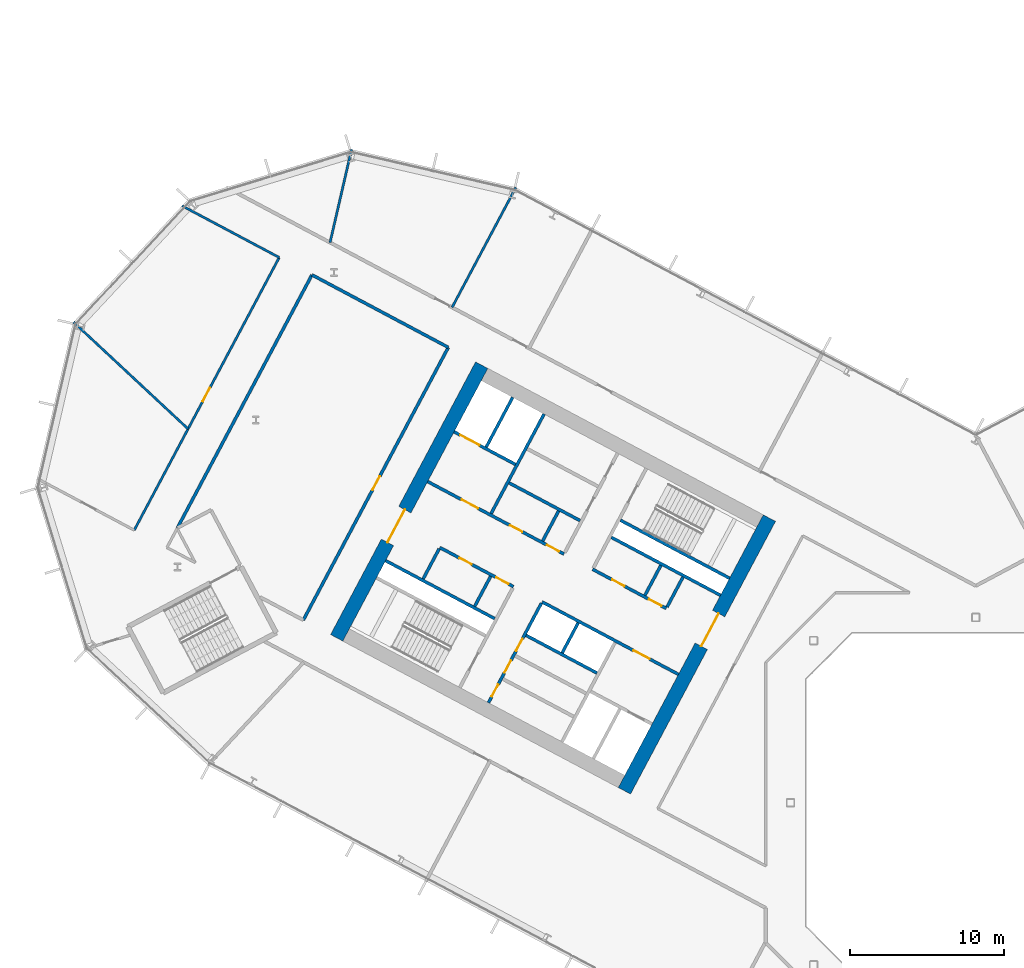
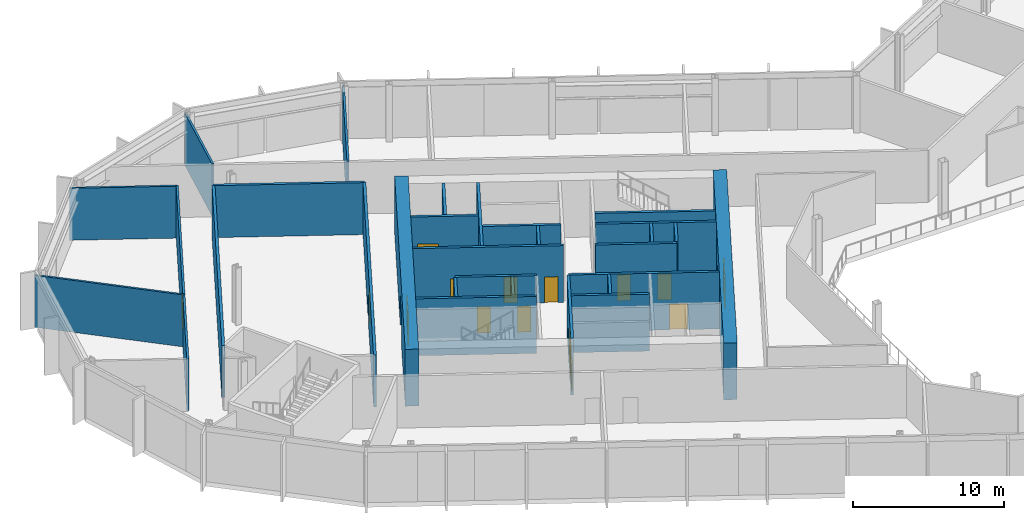
# One storey, part 15 of 32: 29 walls, 16 doors, 16 openings.
"""IFC4 building model written with IfcOpenShell, lengths in metres."""

from ifc_helpers import new_model, si_unit, direction, frame, frame_2d, origin, place, context, subcontext, project, spatial, rectangle, extrude, material, layer, layer_set, type_object, element, fill, save


model = new_model("IFC4")

# Units and contexts
model_context = context("Model", 3, precision=1e-05, world=origin(), true_north=direction((0.0, 1.0)))
body_context = subcontext(model_context, "Body", "Model", "MODEL_VIEW")
ifc_project = project(units=[si_unit("LENGTHUNIT", "METRE"), si_unit("AREAUNIT", "SQUARE_METRE"), si_unit("VOLUMEUNIT", "CUBIC_METRE"), si_unit("PLANEANGLEUNIT", "RADIAN"), si_unit("MASSUNIT", "GRAM", prefix="KILO")], contexts=[model_context])

# Site, building, storey
site_placement = place(None, origin())
site = spatial("IfcSite", under=ifc_project, at=site_placement, CompositionType="ELEMENT")
building_placement = place(site_placement, origin())
building = spatial("IfcBuilding", under=site, at=building_placement, Name="Cormorant Relay Tower", CompositionType="ELEMENT")
storey_placement = place(building_placement, frame((0.0, 0.0, 66.199951171875)))
storey = spatial("IfcBuildingStorey", under=building, at=storey_placement, Name="L12", CompositionType="ELEMENT", Elevation=66.199951171875)

# Walls
ifc_material_1 = material(Name="Concrete 40 MPa", Category="concrete")
ifc_layer_1 = layer(ifc_material_1, 0.199951171875)
ifc_layer_set_1 = layer_set([ifc_layer_1], Name="Core internal wall 200")
wall_type_1 = type_object("IfcWallType", Name="Core internal wall 200", PredefinedType="SOLIDWALL", material=ifc_layer_set_1)
wall_1_placement = place(storey_placement, frame((-20.39013671875, 15.371826171875, 0.0), z_axis=(0.0, 0.0, 1.0), x_axis=(-0.4694473164, -0.882960484464, 0.0)))
element("IfcWall", 1, at=wall_1_placement, inside=storey, type_object=wall_type_1, Name="L12 core A shaft and room wall", PredefinedType="SOLIDWALL", context=body_context, shape_type="SweptSolid", body=[
    extrude(rectangle(XDim=2.199951171875, YDim=0.199951171875, at=frame_2d((1.10009765625, 0.0))), origin(), (0.0, 0.0, 1.0), 4.60009765625),
])
wall_2_placement = place(storey_placement, frame((-25.744140625, 11.64990234375, 0.0), z_axis=(0.0, 0.0, 1.0), x_axis=(-0.469487830541, -0.882938942948, 0.0)))
element("IfcWall", 2, at=wall_2_placement, inside=storey, type_object=wall_type_1, Name="L12 core A shaft and room wall", PredefinedType="SOLIDWALL", context=body_context, shape_type="SweptSolid", body=[
    extrude(rectangle(XDim=2.2001953125, YDim=0.199951171875, at=frame_2d((1.10009765625, 0.0))), origin(), (0.0, 0.0, 1.0), 4.60009765625),
])
for number, where, z_axis, x_axis, name in (
    (3, (-27.01220703125, 18.892822265625, 0.0), (0.0, 0.0, 1.0), (-0.4694473164, -0.882960484464, 0.0), "L12 core A shaft and room wall"),
    (4, (-31.41259765625, 14.663818359375, 0.0), (0.0, 0.0, 1.0), (-0.469533832133, -0.882914480843, 0.0), "L12 core A shaft and room wall"),
):
    element("IfcWall", number, at=place(storey_placement, frame(where, z_axis=z_axis, x_axis=x_axis)), inside=storey, type_object=wall_type_1, Name=name, PredefinedType="SOLIDWALL", context=body_context, shape_type="SweptSolid", body=[
        extrude(rectangle(XDim=2.199951171875, YDim=0.199951171875, at=frame_2d((1.10009765625, 0.0))), origin(), (0.0, 0.0, 1.0), 4.60009765625),
    ])
ifc_material_2 = material(Name="Concrete 50 MPa", Category="concrete")
ifc_layer_2 = layer(ifc_material_2, 0.199951171875)
ifc_layer_set_2 = layer_set([ifc_layer_2], Name="Core shaft wall 200")
wall_type_2 = type_object("IfcWallType", Name="Core shaft wall 200", PredefinedType="SHEAR", material=ifc_layer_set_2)
wall_3_placement = place(storey_placement, frame((-18.959716796875, 14.611328125, 0.0), z_axis=(0.0, 0.0, 1.0), x_axis=(-0.4694473164, -0.882960484464, 0.0)))
element("IfcWall", 5, at=wall_3_placement, inside=storey, type_object=wall_type_2, Name="L12 core A shaft wall", PredefinedType="SHEAR", context=body_context, shape_type="SweptSolid", body=[
    extrude(rectangle(XDim=2.199951171875, YDim=0.199951171875, at=frame_2d((1.10009765625, 0.0))), origin(), (0.0, 0.0, 1.0), 4.60009765625),
])

# Wall, openings, doors
wall_4_placement = place(storey_placement, frame((-28.128173828125, 12.91748046875, 0.0), z_axis=(0.0, 0.0, 1.0), x_axis=(-0.469454336211, -0.882956752176, 0.0)))
wall_4 = element("IfcWall", 6, at=wall_4_placement, inside=storey, type_object=wall_type_2, Name="L12 core A shaft wall", PredefinedType="SHEAR", context=body_context, shape_type="SweptSolid", body=[
    extrude(rectangle(XDim=7.300048828125, YDim=0.199951171875, at=frame_2d((3.64990234375, 0.0))), origin(), (0.0, 0.0, 1.0), 4.60009765625),
])
opening_1_placement = place(wall_4_placement, frame((2.60009765625, 0.0, 0.0)))
opening_1 = element("IfcOpeningElement", 7, at=opening_1_placement, cuts=wall_4, Name="Opening CDD-114", PredefinedType="OPENING", context=body_context, shape_type="SweptSolid", body=[
    extrude(rectangle(XDim=0.89990234375, YDim=2.10009765625, at=frame_2d((0.449951171875, 1.050048828125))), frame((0.0, 0.10986328125, 0.0), z_axis=(0.0, -1.0, 0.0), x_axis=(1.0, 0.0, 0.0)), (0.0, 0.0, 1.0), 0.219970703125),
])
opening_2_placement = place(wall_4_placement, frame((4.199951171875, 0.0, 0.0)))
opening_2 = element("IfcOpeningElement", 8, at=opening_2_placement, cuts=wall_4, Name="Opening CDD-115", PredefinedType="OPENING", context=body_context, shape_type="SweptSolid", body=[
    extrude(rectangle(XDim=0.89990234375, YDim=2.10009765625, at=frame_2d((0.449951171875, 1.050048828125))), frame((0.0, 0.10986328125, 0.0), z_axis=(0.0, -1.0, 0.0), x_axis=(1.0, 0.0, 0.0)), (0.0, 0.0, 1.0), 0.219970703125),
])
opening_3_placement = place(wall_4_placement, frame((5.949951171875, 0.0, 0.0)))
opening_3 = element("IfcOpeningElement", 9, at=opening_3_placement, cuts=wall_4, Name="Opening CDD-116", PredefinedType="OPENING", context=body_context, shape_type="SweptSolid", body=[
    extrude(rectangle(XDim=0.89990234375, YDim=2.10009765625, at=frame_2d((0.449951171875, 1.050048828125))), frame((0.0, 0.10986328125, 0.0), z_axis=(0.0, -1.0, 0.0), x_axis=(1.0, 0.0, 0.0)), (0.0, 0.0, 1.0), 0.219970703125),
])
ifc_material_3 = material(Name="Steel fire door", Category="steel")
door_type_1 = type_object("IfcDoorType", Name="Core room door 900x2100", OperationType="SINGLE_SWING_LEFT", PredefinedType="DOOR", material=ifc_material_3)
door_1_placement = place(opening_1_placement, origin())
door_1 = element("IfcDoor", 10, at=door_1_placement, inside=storey, type_object=door_type_1, Name="Core room door 900x2100", OperationType="SINGLE_SWING_LEFT", OverallHeight=2.10009765625, OverallWidth=0.89990234375, PredefinedType="DOOR", context=body_context, shape_type="SweptSolid", body=[
    extrude(rectangle(XDim=0.89990234375, YDim=2.10009765625, at=frame_2d((0.449951171875, 1.050048828125))), frame((0.0, 0.02490234375, 0.0), z_axis=(0.0, -1.0, 0.0), x_axis=(1.0, 0.0, 0.0)), (0.0, 0.0, 1.0), 0.050048828125),
])
fill(opening_1, door_1)
door_2_placement = place(opening_2_placement, origin())
door_2 = element("IfcDoor", 11, at=door_2_placement, inside=storey, type_object=door_type_1, Name="Core room door 900x2100", OperationType="SINGLE_SWING_LEFT", OverallHeight=2.10009765625, OverallWidth=0.89990234375, PredefinedType="DOOR", context=body_context, shape_type="SweptSolid", body=[
    extrude(rectangle(XDim=0.89990234375, YDim=2.10009765625, at=frame_2d((0.449951171875, 1.050048828125))), frame((0.0, 0.02490234375, 0.0), z_axis=(0.0, -1.0, 0.0), x_axis=(1.0, 0.0, 0.0)), (0.0, 0.0, 1.0), 0.050048828125),
])
fill(opening_2, door_2)
door_3_placement = place(opening_3_placement, origin())
door_3 = element("IfcDoor", 12, at=door_3_placement, inside=storey, type_object=door_type_1, Name="Core room door 900x2100", OperationType="SINGLE_SWING_LEFT", OverallHeight=2.10009765625, OverallWidth=0.89990234375, PredefinedType="DOOR", context=body_context, shape_type="SweptSolid", body=[
    extrude(rectangle(XDim=0.89990234375, YDim=2.10009765625, at=frame_2d((0.449951171875, 1.050048828125))), frame((0.0, 0.02490234375, 0.0), z_axis=(0.0, -1.0, 0.0), x_axis=(1.0, 0.0, 0.0)), (0.0, 0.0, 1.0), 0.050048828125),
])
fill(opening_3, door_3)

# Walls
wall_5_placement = place(storey_placement, frame((-27.955322265625, 25.170654296875, 0.0), z_axis=(0.0, 0.0, 1.0), x_axis=(-0.469480409012, -0.88294288918, 0.0)))
element("IfcWall", 13, at=wall_5_placement, inside=storey, type_object=wall_type_2, Name="L12 core A shaft wall", PredefinedType="SHEAR", context=body_context, shape_type="SweptSolid", body=[
    extrude(rectangle(XDim=7.300048828125, YDim=0.199951171875, at=frame_2d((3.64990234375, 0.0))), origin(), (0.0, 0.0, 1.0), 4.60009765625),
])
wall_6_placement = place(storey_placement, frame((-34.750244140625, 16.4384765625, 0.0), z_axis=(0.0, 0.0, 1.0), x_axis=(-0.469401318492, -0.882984938828, 0.0)))
element("IfcWall", 14, at=wall_6_placement, inside=storey, type_object=wall_type_2, Name="L12 core A shaft wall", PredefinedType="SHEAR", context=body_context, shape_type="SweptSolid", body=[
    extrude(rectangle(XDim=2.199951171875, YDim=0.199951171875, at=frame_2d((1.10009765625, 0.0))), origin(), (0.0, 0.0, 1.0), 4.60009765625),
])
wall_7_placement = place(storey_placement, frame((-29.986083984375, 26.250244140625, 0.0), z_axis=(0.0, 0.0, 1.0), x_axis=(-0.469494272526, -0.882935517501, 0.0)))
element("IfcWall", 15, at=wall_7_placement, inside=storey, type_object=wall_type_2, Name="L12 core A shaft wall", PredefinedType="SHEAR", context=body_context, shape_type="SweptSolid", body=[
    extrude(rectangle(XDim=3.64990234375, YDim=0.199951171875, at=frame_2d((1.824951171875, 0.0))), origin(), (0.0, 0.0, 1.0), 4.60009765625),
])
wall_8_placement = place(storey_placement, frame((-15.94189453125, 14.53564453125, 0.0), z_axis=(0.0, 0.0, 1.0), x_axis=(-0.882946947542, 0.469472776449, 0.0)))
element("IfcWall", 16, at=wall_8_placement, inside=storey, type_object=wall_type_2, Name="L12 core A shaft wall", PredefinedType="SHEAR", context=body_context, shape_type="SweptSolid", body=[
    extrude(rectangle(XDim=8.000244140625, YDim=0.199951171875, at=frame_2d((4.0, 0.0))), origin(), (0.0, 0.0, 1.0), 4.60009765625),
])

# Wall, opening, door
wall_9_placement = place(storey_placement, frame((-29.80419921875, 21.906494140625, 0.0), z_axis=(0.0, 0.0, 1.0), x_axis=(-0.882960433586, 0.469447412093, 0.0)))
wall_9 = element("IfcWall", 17, at=wall_9_placement, inside=storey, type_object=wall_type_2, Name="L12 core A shaft wall", PredefinedType="SHEAR", context=body_context, shape_type="SweptSolid", body=[
    extrude(rectangle(XDim=4.5, YDim=0.199951171875, at=frame_2d((2.25, 0.0))), origin(), (0.0, 0.0, 1.0), 4.60009765625),
])
opening_4_placement = place(wall_9_placement, frame((2.64990234375, 0.0, 0.0)))
opening_4 = element("IfcOpeningElement", 18, at=opening_4_placement, cuts=wall_9, Name="Opening LD3-009", PredefinedType="OPENING", context=body_context, shape_type="SweptSolid", body=[
    extrude(rectangle(XDim=1.39990234375, YDim=2.39990234375, at=frame_2d((0.699951171875, 1.199951171875))), frame((0.0, 0.10986328125, 0.0), z_axis=(0.0, -1.0, 0.0), x_axis=(1.0, 0.0, 0.0)), (0.0, 0.0, 1.0), 0.219970703125),
])
ifc_material_4 = material(Name="Stainless steel 316", Category="steel")
door_type_2 = type_object("IfcDoorType", Name="Lift landing door 1400x2400", OperationType="DOUBLE_DOOR_SLIDING", PredefinedType="DOOR", material=ifc_material_4)
door_4_placement = place(opening_4_placement, origin())
door_4 = element("IfcDoor", 19, at=door_4_placement, inside=storey, type_object=door_type_2, Name="SV1 landing door", OperationType="DOUBLE_DOOR_SLIDING", OverallHeight=2.39990234375, OverallWidth=1.39990234375, PredefinedType="DOOR", context=body_context, shape_type="SweptSolid", body=[
    extrude(rectangle(XDim=1.39990234375, YDim=2.39990234375, at=frame_2d((0.699951171875, 1.199951171875))), frame((0.0, 0.02490234375, 0.0), z_axis=(0.0, -1.0, 0.0), x_axis=(1.0, 0.0, 0.0)), (0.0, 0.0, 1.0), 0.050048828125),
])
fill(opening_4, door_4)

# Walls
wall_10_placement = place(storey_placement, frame((-16.52880859375, 13.43212890625, 0.0), z_axis=(0.0, 0.0, 1.0), x_axis=(-0.88295287151, 0.469461634952, 0.0)))
element("IfcWall", 20, at=wall_10_placement, inside=storey, type_object=wall_type_2, Name="L12 core A shaft wall", PredefinedType="SHEAR", context=body_context, shape_type="SweptSolid", body=[
    extrude(rectangle(XDim=7.999755859375, YDim=0.199951171875, at=frame_2d((4.0, 0.0))), origin(), (0.0, 0.0, 1.0), 4.60009765625),
])
wall_11_placement = place(storey_placement, frame((-25.623046875, 18.267578125, 0.0), z_axis=(0.0, 0.0, 1.0), x_axis=(-0.882953967957, 0.469459572775, 0.0)))
element("IfcWall", 21, at=wall_11_placement, inside=storey, type_object=wall_type_2, Name="L12 core A shaft wall", PredefinedType="SHEAR", context=body_context, shape_type="SweptSolid", body=[
    extrude(rectangle(XDim=5.199951171875, YDim=0.199951171875, at=frame_2d((2.60009765625, 0.0))), origin(), (0.0, 0.0, 1.0), 4.60009765625),
])

# Wall, openings, doors
wall_12_placement = place(storey_placement, frame((-20.03955078125, 12.58056640625, 0.0), z_axis=(0.0, 0.0, 1.0), x_axis=(-0.882942972946, 0.469480251476, 0.0)))
wall_12 = element("IfcWall", 22, at=wall_12_placement, inside=storey, type_object=wall_type_2, Name="L12 core A shaft wall", PredefinedType="SHEAR", context=body_context, shape_type="SweptSolid", body=[
    extrude(rectangle(XDim=5.39990234375, YDim=0.199951171875, at=frame_2d((2.699951171875, 0.0))), origin(), (0.0, 0.0, 1.0), 4.60009765625),
])
opening_5_placement = place(wall_12_placement, frame((0.360107421875, 0.0, 0.0)))
opening_5 = element("IfcOpeningElement", 23, at=opening_5_placement, cuts=wall_12, Name="Opening CDD-110", PredefinedType="OPENING", context=body_context, shape_type="SweptSolid", body=[
    extrude(rectangle(XDim=0.89990234375, YDim=2.10009765625, at=frame_2d((0.449951171875, 1.050048828125))), frame((0.0, 0.10986328125, 0.0), z_axis=(0.0, -1.0, 0.0), x_axis=(1.0, 0.0, 0.0)), (0.0, 0.0, 1.0), 0.219970703125),
])
opening_6_placement = place(wall_12_placement, frame((3.06005859375, 0.0, 0.0)))
opening_6 = element("IfcOpeningElement", 24, at=opening_6_placement, cuts=wall_12, Name="Opening CDD-111", PredefinedType="OPENING", context=body_context, shape_type="SweptSolid", body=[
    extrude(rectangle(XDim=0.89990234375, YDim=2.10009765625, at=frame_2d((0.449951171875, 1.050048828125))), frame((0.0, 0.10986328125, 0.0), z_axis=(0.0, -1.0, 0.0), x_axis=(1.0, 0.0, 0.0)), (0.0, 0.0, 1.0), 0.219970703125),
])
door_5_placement = place(opening_5_placement, frame((0.89990234375, 0.0, 0.0), z_axis=(0.0, 0.0, 1.0), x_axis=(-1.0, 0.0, 0.0)))
door_5 = element("IfcDoor", 25, at=door_5_placement, inside=storey, type_object=door_type_1, Name="Core room door 900x2100", OperationType="SINGLE_SWING_RIGHT", OverallHeight=2.10009765625, OverallWidth=0.89990234375, PredefinedType="DOOR", context=body_context, shape_type="SweptSolid", body=[
    extrude(rectangle(XDim=0.89990234375, YDim=2.10009765625, at=frame_2d((0.449951171875, 1.050048828125))), frame((0.0, 0.02490234375, 0.0), z_axis=(0.0, -1.0, 0.0), x_axis=(1.0, 0.0, 0.0)), (0.0, 0.0, 1.0), 0.050048828125),
])
fill(opening_5, door_5)
door_6_placement = place(opening_6_placement, frame((0.89990234375, 0.0, 0.0), z_axis=(0.0, 0.0, 1.0), x_axis=(-1.0, 0.0, 0.0)))
door_6 = element("IfcDoor", 26, at=door_6_placement, inside=storey, type_object=door_type_1, Name="Core room door 900x2100", OperationType="SINGLE_SWING_RIGHT", OverallHeight=2.10009765625, OverallWidth=0.89990234375, PredefinedType="DOOR", context=body_context, shape_type="SweptSolid", body=[
    extrude(rectangle(XDim=0.89990234375, YDim=2.10009765625, at=frame_2d((0.449951171875, 1.050048828125))), frame((0.0, 0.02490234375, 0.0), z_axis=(0.0, -1.0, 0.0), x_axis=(1.0, 0.0, 0.0)), (0.0, 0.0, 1.0), 0.050048828125),
])
fill(opening_6, door_6)

wall_13_placement = place(storey_placement, frame((-26.66162109375, 16.1015625, 0.0), z_axis=(0.0, 0.0, 1.0), x_axis=(-0.882940221191, 0.469485426614, 0.0)))
wall_13 = element("IfcWall", 27, at=wall_13_placement, inside=storey, type_object=wall_type_2, Name="L12 core A shaft wall", PredefinedType="SHEAR", context=body_context, shape_type="SweptSolid", body=[
    extrude(rectangle(XDim=10.0, YDim=0.199951171875, at=frame_2d((5.0, 0.0))), origin(), (0.0, 0.0, 1.0), 4.60009765625),
])
opening_7_placement = place(wall_13_placement, frame((6.300048828125, 0.0, 0.0)))
opening_7 = element("IfcOpeningElement", 28, at=opening_7_placement, cuts=wall_13, Name="Opening CDC-018", PredefinedType="OPENING", context=body_context, shape_type="SweptSolid", body=[
    extrude(rectangle(XDim=1.199951171875, YDim=2.10009765625, at=frame_2d((0.60009765625, 1.050048828125))), frame((0.0, 0.10986328125, 0.0), z_axis=(0.0, -1.0, 0.0), x_axis=(1.0, 0.0, 0.0)), (0.0, 0.0, 1.0), 0.219970703125),
])
opening_8_placement = place(wall_13_placement, frame((0.360107421875, 0.0, 0.0)))
opening_8 = element("IfcOpeningElement", 29, at=opening_8_placement, cuts=wall_13, Name="Opening CDD-112", PredefinedType="OPENING", context=body_context, shape_type="SweptSolid", body=[
    extrude(rectangle(XDim=0.89990234375, YDim=2.10009765625, at=frame_2d((0.449951171875, 1.050048828125))), frame((0.0, 0.10986328125, 0.0), z_axis=(0.0, -1.0, 0.0), x_axis=(1.0, 0.0, 0.0)), (0.0, 0.0, 1.0), 0.219970703125),
])
opening_9_placement = place(wall_13_placement, frame((3.06005859375, 0.0, 0.0)))
opening_9 = element("IfcOpeningElement", 30, at=opening_9_placement, cuts=wall_13, Name="Opening CDD-113", PredefinedType="OPENING", context=body_context, shape_type="SweptSolid", body=[
    extrude(rectangle(XDim=0.89990234375, YDim=2.10009765625, at=frame_2d((0.449951171875, 1.050048828125))), frame((0.0, 0.10986328125, 0.0), z_axis=(0.0, -1.0, 0.0), x_axis=(1.0, 0.0, 0.0)), (0.0, 0.0, 1.0), 0.219970703125),
])
ifc_material_5 = material(Name="Steel fire door", Category="steel")
door_type_3 = type_object("IfcDoorType", Name="Core lobby door 1200x2100", OperationType="SINGLE_SWING_LEFT", PredefinedType="DOOR", material=ifc_material_5)
door_7_placement = place(opening_7_placement, origin())
door_7 = element("IfcDoor", 31, at=door_7_placement, inside=storey, type_object=door_type_3, Name="Core lobby door 1200x2100", OperationType="SINGLE_SWING_LEFT", OverallHeight=2.10009765625, OverallWidth=1.199951171875, PredefinedType="DOOR", context=body_context, shape_type="SweptSolid", body=[
    extrude(rectangle(XDim=1.199951171875, YDim=2.10009765625, at=frame_2d((0.60009765625, 1.050048828125))), frame((0.0, 0.02490234375, 0.0), z_axis=(0.0, -1.0, 0.0), x_axis=(1.0, 0.0, 0.0)), (0.0, 0.0, 1.0), 0.050048828125),
])
fill(opening_7, door_7)
door_8_placement = place(opening_8_placement, frame((0.89990234375, 0.0, 0.0), z_axis=(0.0, 0.0, 1.0), x_axis=(-1.0, 0.0, 0.0)))
door_8 = element("IfcDoor", 32, at=door_8_placement, inside=storey, type_object=door_type_1, Name="Core room door 900x2100", OperationType="SINGLE_SWING_RIGHT", OverallHeight=2.10009765625, OverallWidth=0.89990234375, PredefinedType="DOOR", context=body_context, shape_type="SweptSolid", body=[
    extrude(rectangle(XDim=0.89990234375, YDim=2.10009765625, at=frame_2d((0.449951171875, 1.050048828125))), frame((0.0, 0.02490234375, 0.0), z_axis=(0.0, -1.0, 0.0), x_axis=(1.0, 0.0, 0.0)), (0.0, 0.0, 1.0), 0.050048828125),
])
fill(opening_8, door_8)
door_9_placement = place(opening_9_placement, frame((0.89990234375, 0.0, 0.0), z_axis=(0.0, 0.0, 1.0), x_axis=(-1.0, 0.0, 0.0)))
door_9 = element("IfcDoor", 33, at=door_9_placement, inside=storey, type_object=door_type_1, Name="Core room door 900x2100", OperationType="SINGLE_SWING_RIGHT", OverallHeight=2.10009765625, OverallWidth=0.89990234375, PredefinedType="DOOR", context=body_context, shape_type="SweptSolid", body=[
    extrude(rectangle(XDim=0.89990234375, YDim=2.10009765625, at=frame_2d((0.449951171875, 1.050048828125))), frame((0.0, 0.02490234375, 0.0), z_axis=(0.0, -1.0, 0.0), x_axis=(1.0, 0.0, 0.0)), (0.0, 0.0, 1.0), 0.050048828125),
])
fill(opening_9, door_9)

# Wall, opening, door
wall_14_placement = place(storey_placement, frame((-19.251708984375, 8.31103515625, 0.0), z_axis=(0.0, 0.0, 1.0), x_axis=(-0.882955722218, 0.469456273365, 0.0)))
wall_14 = element("IfcWall", 34, at=wall_14_placement, inside=storey, type_object=wall_type_2, Name="L12 core A shaft wall", PredefinedType="SHEAR", context=body_context, shape_type="SweptSolid", body=[
    extrude(rectangle(XDim=10.0, YDim=0.199951171875, at=frame_2d((5.0, 0.0))), origin(), (0.0, 0.0, 1.0), 4.60009765625),
])
opening_10_placement = place(wall_14_placement, frame((2.10009765625, 0.0, 0.0)))
opening_10 = element("IfcOpeningElement", 35, at=opening_10_placement, cuts=wall_14, Name="Opening CDC-017", PredefinedType="OPENING", context=body_context, shape_type="SweptSolid", body=[
    extrude(rectangle(XDim=1.199951171875, YDim=2.10009765625, at=frame_2d((0.60009765625, 1.050048828125))), frame((0.0, 0.10986328125, 0.0), z_axis=(0.0, -1.0, 0.0), x_axis=(1.0, 0.0, 0.0)), (0.0, 0.0, 1.0), 0.219970703125),
])
door_10_placement = place(opening_10_placement, origin())
door_10 = element("IfcDoor", 36, at=door_10_placement, inside=storey, type_object=door_type_3, Name="Core lobby door 1200x2100", OperationType="SINGLE_SWING_RIGHT", OverallHeight=2.10009765625, OverallWidth=1.199951171875, PredefinedType="DOOR", context=body_context, shape_type="SweptSolid", body=[
    extrude(rectangle(XDim=1.199951171875, YDim=2.10009765625, at=frame_2d((0.60009765625, 1.050048828125))), frame((0.0, 0.02490234375, 0.0), z_axis=(0.0, -1.0, 0.0), x_axis=(1.0, 0.0, 0.0)), (0.0, 0.0, 1.0), 0.050048828125),
])
fill(opening_10, door_10)

# Wall, openings, doors
wall_15_placement = place(storey_placement, frame((-29.935302734375, 13.991455078125, 0.0), z_axis=(0.0, 0.0, 1.0), x_axis=(-0.882952937579, 0.469461510692, 0.0)))
wall_15 = element("IfcWall", 37, at=wall_15_placement, inside=storey, type_object=wall_type_2, Name="L12 core A shaft wall", PredefinedType="SHEAR", context=body_context, shape_type="SweptSolid", body=[
    extrude(rectangle(XDim=5.400146484375, YDim=0.199951171875, at=frame_2d((2.7001953125, 0.0))), origin(), (0.0, 0.0, 1.0), 4.60009765625),
])
opening_11_placement = place(wall_15_placement, frame((0.360107421875, 0.0, 0.0)))
opening_11 = element("IfcOpeningElement", 38, at=opening_11_placement, cuts=wall_15, Name="Opening CDD-108", PredefinedType="OPENING", context=body_context, shape_type="SweptSolid", body=[
    extrude(rectangle(XDim=0.89990234375, YDim=2.10009765625, at=frame_2d((0.449951171875, 1.050048828125))), frame((0.0, 0.10986328125, 0.0), z_axis=(0.0, -1.0, 0.0), x_axis=(1.0, 0.0, 0.0)), (0.0, 0.0, 1.0), 0.219970703125),
])
opening_12_placement = place(wall_15_placement, frame((3.06005859375, 0.0, 0.0)))
opening_12 = element("IfcOpeningElement", 39, at=opening_12_placement, cuts=wall_15, Name="Opening CDD-109", PredefinedType="OPENING", context=body_context, shape_type="SweptSolid", body=[
    extrude(rectangle(XDim=0.89990234375, YDim=2.10009765625, at=frame_2d((0.449951171875, 1.050048828125))), frame((0.0, 0.10986328125, 0.0), z_axis=(0.0, -1.0, 0.0), x_axis=(1.0, 0.0, 0.0)), (0.0, 0.0, 1.0), 0.219970703125),
])
door_11_placement = place(opening_11_placement, origin())
door_11 = element("IfcDoor", 40, at=door_11_placement, inside=storey, type_object=door_type_1, Name="Core room door 900x2100", OperationType="SINGLE_SWING_LEFT", OverallHeight=2.10009765625, OverallWidth=0.89990234375, PredefinedType="DOOR", context=body_context, shape_type="SweptSolid", body=[
    extrude(rectangle(XDim=0.89990234375, YDim=2.10009765625, at=frame_2d((0.449951171875, 1.050048828125))), frame((0.0, 0.02490234375, 0.0), z_axis=(0.0, -1.0, 0.0), x_axis=(1.0, 0.0, 0.0)), (0.0, 0.0, 1.0), 0.050048828125),
])
fill(opening_11, door_11)
door_12_placement = place(opening_12_placement, origin())
door_12 = element("IfcDoor", 41, at=door_12_placement, inside=storey, type_object=door_type_1, Name="Core room door 900x2100", OperationType="SINGLE_SWING_LEFT", OverallHeight=2.10009765625, OverallWidth=0.89990234375, PredefinedType="DOOR", context=body_context, shape_type="SweptSolid", body=[
    extrude(rectangle(XDim=0.89990234375, YDim=2.10009765625, at=frame_2d((0.449951171875, 1.050048828125))), frame((0.0, 0.02490234375, 0.0), z_axis=(0.0, -1.0, 0.0), x_axis=(1.0, 0.0, 0.0)), (0.0, 0.0, 1.0), 0.050048828125),
])
fill(opening_12, door_12)

# Walls
wall_16_placement = place(storey_placement, frame((-24.5283203125, 8.3984375, 0.0), z_axis=(0.0, 0.0, 1.0), x_axis=(-0.882953967957, 0.469459572775, 0.0)))
element("IfcWall", 42, at=wall_16_placement, inside=storey, type_object=wall_type_2, Name="L12 core A shaft wall", PredefinedType="SHEAR", context=body_context, shape_type="SweptSolid", body=[
    extrude(rectangle(XDim=5.199951171875, YDim=0.199951171875, at=frame_2d((2.60009765625, 0.0))), origin(), (0.0, 0.0, 1.0), 4.60009765625),
])
wall_17_placement = place(storey_placement, frame((-31.150390625, 11.91943359375, 0.0), z_axis=(0.0, 0.0, 1.0), x_axis=(-0.882940221191, 0.469485426614, 0.0)))
element("IfcWall", 43, at=wall_17_placement, inside=storey, type_object=wall_type_2, Name="L12 core A shaft wall", PredefinedType="SHEAR", context=body_context, shape_type="SweptSolid", body=[
    extrude(rectangle(XDim=8.0, YDim=0.199951171875, at=frame_2d((4.0, 0.0))), origin(), (0.0, 0.0, 1.0), 4.60009765625),
])

# Wall, opening, door
ifc_material_6 = material(Name="Concrete 70 MPa", Category="concrete")
ifc_layer_3 = layer(ifc_material_6, 0.89990234375)
ifc_layer_set_3 = layer_set([ifc_layer_3], Name="Core wall 900")
wall_type_3 = type_object("IfcWallType", Name="Core wall 900", PredefinedType="SHEAR", material=ifc_layer_set_3)
wall_18_placement = place(storey_placement, frame((-13.361572265625, 18.43017578125, 0.0), z_axis=(0.0, 0.0, 1.0), x_axis=(-0.46947084998, -0.882947971864, 0.0)))
wall_18 = element("IfcWall", 44, at=wall_18_placement, inside=storey, type_object=wall_type_3, Name="L12 core A wall", PredefinedType="SHEAR", context=body_context, shape_type="SweptSolid", body=[
    extrude(rectangle(XDim=20.0, YDim=0.89990234375, at=frame_2d((10.0, 0.0))), origin(), (0.0, 0.0, 1.0), 4.60009765625),
])
opening_13_placement = place(wall_18_placement, frame((7.0, 0.0, 0.0)))
opening_13 = element("IfcOpeningElement", 45, at=opening_13_placement, cuts=wall_18, Name="Opening CDA-017", PredefinedType="OPENING", context=body_context, shape_type="SweptSolid", body=[
    extrude(rectangle(XDim=2.39990234375, YDim=2.39990234375, at=frame_2d((1.199951171875, 1.199951171875))), frame((0.0, 0.4599609375, 0.0), z_axis=(0.0, -1.0, 0.0), x_axis=(1.0, 0.0, 0.0)), (0.0, 0.0, 1.0), 0.919921875),
])
ifc_material_7 = material(Name="Steel fire door", Category="steel")
door_type_4 = type_object("IfcDoorType", Name="Core lobby door 2400x2400", OperationType="DOUBLE_DOOR_SINGLE_SWING", PredefinedType="DOOR", material=ifc_material_7)
door_13_placement = place(opening_13_placement, frame((2.39990234375, 0.0, 0.0), z_axis=(0.0, 0.0, 1.0), x_axis=(-1.0, 0.0, 0.0)))
door_13 = element("IfcDoor", 46, at=door_13_placement, inside=storey, type_object=door_type_4, Name="Core lobby door 2400x2400", OperationType="DOUBLE_DOOR_SINGLE_SWING", OverallHeight=2.39990234375, OverallWidth=2.39990234375, PredefinedType="DOOR", context=body_context, shape_type="SweptSolid", body=[
    extrude(rectangle(XDim=2.39990234375, YDim=2.39990234375, at=frame_2d((1.199951171875, 1.199951171875))), frame((0.0, 0.02490234375, 0.0), z_axis=(0.0, -1.0, 0.0), x_axis=(1.0, 0.0, 0.0)), (0.0, 0.0, 1.0), 0.050048828125),
])
fill(opening_13, door_13)

wall_19_placement = place(storey_placement, frame((-31.99169921875, 28.3359375, 0.0), z_axis=(0.0, 0.0, 1.0), x_axis=(-0.46947084998, -0.882947971864, 0.0)))
wall_19 = element("IfcWall", 47, at=wall_19_placement, inside=storey, type_object=wall_type_3, Name="L12 core A wall", PredefinedType="SHEAR", context=body_context, shape_type="SweptSolid", body=[
    extrude(rectangle(XDim=20.0, YDim=0.89990234375, at=frame_2d((10.0, 0.0))), origin(), (0.0, 0.0, 1.0), 4.60009765625),
])
opening_14_placement = place(wall_19_placement, frame((10.60009765625, 0.0, 0.0)))
opening_14 = element("IfcOpeningElement", 48, at=opening_14_placement, cuts=wall_19, Name="Opening CDA-018", PredefinedType="OPENING", context=body_context, shape_type="SweptSolid", body=[
    extrude(rectangle(XDim=2.39990234375, YDim=2.39990234375, at=frame_2d((1.199951171875, 1.199951171875))), frame((0.0, 0.4599609375, 0.0), z_axis=(0.0, -1.0, 0.0), x_axis=(1.0, 0.0, 0.0)), (0.0, 0.0, 1.0), 0.919921875),
])
door_14_placement = place(opening_14_placement, origin())
door_14 = element("IfcDoor", 49, at=door_14_placement, inside=storey, type_object=door_type_4, Name="Core lobby door 2400x2400", OperationType="DOUBLE_DOOR_SINGLE_SWING", OverallHeight=2.39990234375, OverallWidth=2.39990234375, PredefinedType="DOOR", context=body_context, shape_type="SweptSolid", body=[
    extrude(rectangle(XDim=2.39990234375, YDim=2.39990234375, at=frame_2d((1.199951171875, 1.199951171875))), frame((0.0, 0.02490234375, 0.0), z_axis=(0.0, -1.0, 0.0), x_axis=(1.0, 0.0, 0.0)), (0.0, 0.0, 1.0), 0.050048828125),
])
fill(opening_14, door_14)

# Walls
ifc_material_8 = material(Name="Fire-rated gypsum board partition")
ifc_layer_4 = layer(ifc_material_8, 0.199951171875)
ifc_layer_set_4 = layer_set([ifc_layer_4], Name="Fire-rated gypsum partition 200")
wall_type_4 = type_object("IfcWallType", Name="Fire-rated gypsum partition 200", PredefinedType="PARTITIONING", material=ifc_layer_set_4)
wall_20_placement = place(storey_placement, frame((-51.695068359375, 17.798095703125, 0.0), z_axis=(0.0, 0.0, 1.0), x_axis=(0.469483567396, 0.88294120979, 0.0)))
element("IfcWall", 50, at=wall_20_placement, inside=storey, type_object=wall_type_4, Name="wall/L12/part/12", PredefinedType="PARTITIONING", context=body_context, shape_type="SweptSolid", body=[
    extrude(rectangle(XDim=18.554931640625, YDim=0.199951171875, at=frame_2d((9.27734375, 0.0))), origin(), (0.0, 0.0, 1.0), 4.199951171875),
])
wall_21_placement = place(storey_placement, frame((-42.98388671875, 34.180908203125, 0.0), z_axis=(0.0, 0.0, 1.0), x_axis=(0.882929457898, -0.469505668097, 0.0)))
element("IfcWall", 51, at=wall_21_placement, inside=storey, type_object=wall_type_4, Name="wall/L12/part/13", PredefinedType="PARTITIONING", context=body_context, shape_type="SweptSolid", body=[
    extrude(rectangle(XDim=9.99951171875, YDim=0.199951171875, at=frame_2d((4.999755859375, 0.0))), origin(), (0.0, 0.0, 1.0), 4.199951171875),
])

# Wall, opening, door
wall_22_placement = place(storey_placement, frame((-34.155029296875, 29.486083984375, 0.0), z_axis=(0.0, 0.0, 1.0), x_axis=(-0.469446756585, -0.882960782103, 0.0)))
wall_22 = element("IfcWall", 52, at=wall_22_placement, inside=storey, type_object=wall_type_4, Name="wall/L12/part/14", PredefinedType="PARTITIONING", context=body_context, shape_type="SweptSolid", body=[
    extrude(rectangle(XDim=20.0, YDim=0.199951171875, at=frame_2d((10.0, 0.0))), origin(), (0.0, 0.0, 1.0), 4.199951171875),
])
opening_15_placement = place(wall_22_placement, frame((9.449951171875, 0.0, 0.0)))
opening_15 = element("IfcOpeningElement", 53, at=opening_15_placement, cuts=wall_22, Name="Opening FD1-086", PredefinedType="OPENING", context=body_context, shape_type="SweptSolid", body=[
    extrude(rectangle(XDim=1.0, YDim=2.10009765625, at=frame_2d((0.5, 1.050048828125))), frame((0.0, 0.10986328125, 0.0), z_axis=(0.0, -1.0, 0.0), x_axis=(1.0, 0.0, 0.0)), (0.0, 0.0, 1.0), 0.219970703125),
])
ifc_material_9 = material(Name="Fire-rated steel door", Category="steel")
door_type_5 = type_object("IfcDoorType", Name="Fire door 1000 x 2100", OperationType="SINGLE_SWING_LEFT", PredefinedType="DOOR", material=ifc_material_9)
door_15_placement = place(opening_15_placement, frame((1.0, 0.0, 0.0), z_axis=(0.0, 0.0, 1.0), x_axis=(-1.0, 0.0, 0.0)))
door_15 = element("IfcDoor", 54, at=door_15_placement, inside=storey, type_object=door_type_5, Name="door/L12/3", OperationType="SINGLE_SWING_RIGHT", OverallHeight=2.10009765625, OverallWidth=1.0, PredefinedType="DOOR", context=body_context, shape_type="SweptSolid", body=[
    extrude(rectangle(XDim=1.0, YDim=2.10009765625, at=frame_2d((0.5, 1.050048828125))), frame((0.0, 0.02490234375, 0.0), z_axis=(0.0, -1.0, 0.0), x_axis=(1.0, 0.0, 0.0)), (0.0, 0.0, 1.0), 0.050048828125),
])
fill(opening_15, door_15)

ifc_material_10 = material(Name="Gypsum board partition")
ifc_layer_5 = layer(ifc_material_10, 0.14990234375)
ifc_layer_set_5 = layer_set([ifc_layer_5], Name="Gypsum board partition 150")
wall_type_5 = type_object("IfcWallType", Name="Gypsum board partition 150", PredefinedType="PARTITIONING", material=ifc_layer_set_5)
wall_23_placement = place(storey_placement, frame((-54.492919921875, 17.64892578125, 0.0), z_axis=(0.0, 0.0, 1.0), x_axis=(0.469446756585, 0.882960782103, 0.0)))
wall_23 = element("IfcWall", 55, at=wall_23_placement, inside=storey, type_object=wall_type_5, Name="wall/L12/part/1", PredefinedType="PARTITIONING", context=body_context, shape_type="SweptSolid", body=[
    extrude(rectangle(XDim=20.0, YDim=0.14990234375, at=frame_2d((10.0, 0.0))), origin(), (0.0, 0.0, 1.0), 4.199951171875),
])
opening_16_placement = place(wall_23_placement, frame((9.449951171875, 0.0, 0.0)))
opening_16 = element("IfcOpeningElement", 56, at=opening_16_placement, cuts=wall_23, Name="Opening D1-028", PredefinedType="OPENING", context=body_context, shape_type="SweptSolid", body=[
    extrude(rectangle(XDim=1.0, YDim=2.10009765625, at=frame_2d((0.5, 1.050048828125))), frame((0.0, 0.0849609375, 0.0), z_axis=(0.0, -1.0, 0.0), x_axis=(1.0, 0.0, 0.0)), (0.0, 0.0, 1.0), 0.169921875),
])
ifc_material_11 = material(Name="Painted steel door", Category="steel")
door_type_6 = type_object("IfcDoorType", Name="Single door 1000 x 2100", OperationType="SINGLE_SWING_LEFT", PredefinedType="DOOR", material=ifc_material_11)
door_16_placement = place(opening_16_placement, origin())
door_16 = element("IfcDoor", 57, at=door_16_placement, inside=storey, type_object=door_type_6, Name="door/L12/1", OperationType="SINGLE_SWING_RIGHT", OverallHeight=2.10009765625, OverallWidth=1.0, PredefinedType="DOOR", context=body_context, shape_type="SweptSolid", body=[
    extrude(rectangle(XDim=1.0, YDim=2.10009765625, at=frame_2d((0.5, 1.050048828125))), frame((0.0, 0.02490234375, 0.0), z_axis=(0.0, -1.0, 0.0), x_axis=(1.0, 0.0, 0.0)), (0.0, 0.0, 1.0), 0.050048828125),
])
fill(opening_16, door_16)

# Walls
wall_24_placement = place(storey_placement, frame((-45.10400390625, 35.30810546875, 0.0), z_axis=(0.0, 0.0, 1.0), x_axis=(-0.883009246848, 0.469355590125, 0.0)))
element("IfcWall", 58, at=wall_24_placement, inside=storey, type_object=wall_type_5, Name="wall/L12/part/2", PredefinedType="PARTITIONING", context=body_context, shape_type="SweptSolid", body=[
    extrude(rectangle(XDim=7.126708984375, YDim=0.14990234375, at=frame_2d((3.5634765625, 0.0))), origin(), (0.0, 0.0, 1.0), 4.199951171875),
])
wall_25_placement = place(storey_placement, frame((-58.427001953125, 31.125, 0.0), z_axis=(0.0, 0.0, 1.0), x_axis=(0.73145846048, -0.681886002637, 0.0)))
element("IfcWall", 59, at=wall_25_placement, inside=storey, type_object=wall_type_5, Name="wall/L12/part/3", PredefinedType="PARTITIONING", context=body_context, shape_type="SweptSolid", body=[
    extrude(rectangle(XDim=10.145263671875, YDim=0.14990234375, at=frame_2d((5.07275390625, 0.0))), origin(), (0.0, 0.0, 1.0), 4.199951171875),
])
wall_26_placement = place(storey_placement, frame((-29.779052734375, 39.845947265625, 0.0), z_axis=(0.0, 0.0, 1.0), x_axis=(-0.469464832647, -0.882951171304, 0.0)))
element("IfcWall", 60, at=wall_26_placement, inside=storey, type_object=wall_type_5, Name="wall/L12/part/18", PredefinedType="PARTITIONING", context=body_context, shape_type="SweptSolid", body=[
    extrude(rectangle(XDim=8.80126953125, YDim=0.14990234375, at=frame_2d((4.400634765625, 0.0))), origin(), (0.0, 0.0, 1.0), 4.199951171875),
])
wall_27_placement = place(storey_placement, frame((-41.81298828125, 36.27587890625, 0.0), z_axis=(0.0, 0.0, 1.0), x_axis=(0.224922797434, 0.974376587975, 0.0)))
element("IfcWall", 61, at=wall_27_placement, inside=storey, type_object=wall_type_5, Name="wall/L12/part/19", PredefinedType="PARTITIONING", context=body_context, shape_type="SweptSolid", body=[
    extrude(rectangle(XDim=6.19775390625, YDim=0.14990234375, at=frame_2d((3.098876953125, 0.0))), origin(), (0.0, 0.0, 1.0), 4.199951171875),
])

save(model, "model.ifc")
